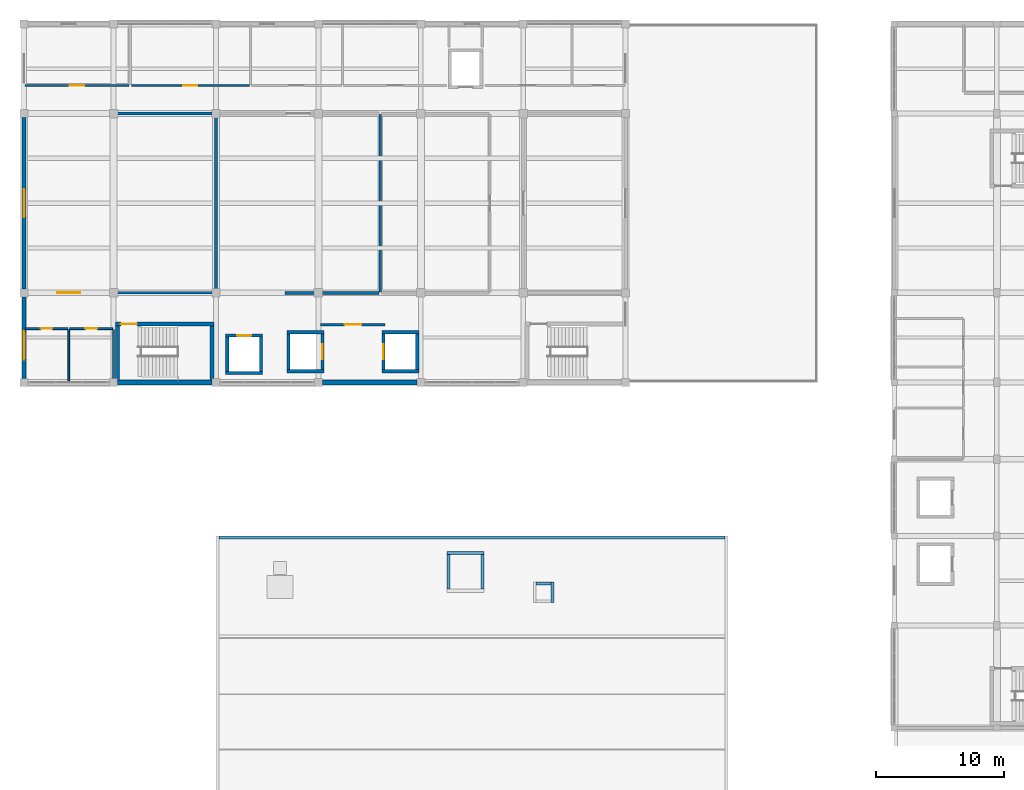
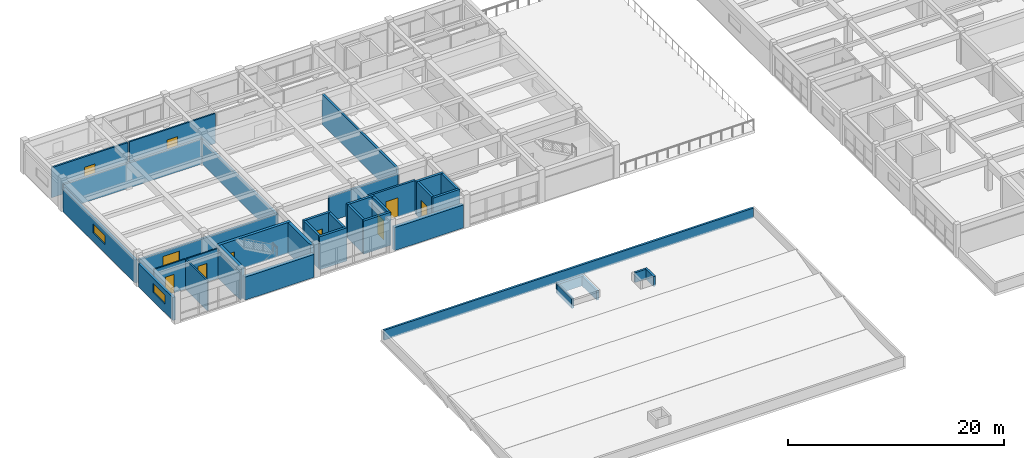
# One storey, part 11 of 22: 37 walls, 10 doors, 2 windows, 12 openings.
"""IFC4 building model written with IfcOpenShell, lengths in metres."""

from ifc_helpers import new_model, si_unit, direction, frame, frame_2d, origin, place, context, subcontext, project, spatial, rectangle, extrude, material, layer, layer_set, type_object, element, fill, save


model = new_model("IFC4")

# Units and contexts
model_context = context("Model", 3, precision=1e-05, world=origin(), true_north=direction((0.0, 1.0)))
body_context = subcontext(model_context, "Body", "Model", "MODEL_VIEW")
ifc_project = project(units=[si_unit("LENGTHUNIT", "METRE"), si_unit("AREAUNIT", "SQUARE_METRE"), si_unit("VOLUMEUNIT", "CUBIC_METRE"), si_unit("PLANEANGLEUNIT", "RADIAN"), si_unit("MASSUNIT", "GRAM", prefix="KILO")], contexts=[model_context])

# Site, building, storey
site_placement = place(None, origin())
site = spatial("IfcSite", under=ifc_project, at=site_placement, CompositionType="ELEMENT")
building_placement = place(site_placement, origin())
building = spatial("IfcBuilding", under=site, at=building_placement, Name="Naurynzar Civic Courthouse", CompositionType="ELEMENT")
storey_placement = place(building_placement, frame((0.0, 0.0, 25.800048828125)))
storey = spatial("IfcBuildingStorey", under=building, at=storey_placement, Name="L07", CompositionType="ELEMENT", Elevation=25.800048828125)

# Wall, opening, door
ifc_material_1 = material(Name="Acoustic Double-Stud Gypsum Partition")
ifc_layer_1 = layer(ifc_material_1, 0.22509765625)
ifc_layer_set_1 = layer_set([ifc_layer_1], Name="WL-ACOUSTIC-225")
wall_type_1 = type_object("IfcWallType", Name="WL-ACOUSTIC-225", PredefinedType="PARTITIONING", material=ifc_layer_set_1)
wall_1_placement = place(storey_placement, frame((62.080078125, 51.0, 0.0), z_axis=(0.0, 0.0, 1.0), x_axis=(1.0, 0.0, 0.0)))
wall_1 = element("IfcWall", 1, at=wall_1_placement, inside=storey, type_object=wall_type_1, Name="V2 interior partition L07.726", PredefinedType="PARTITIONING", context=body_context, shape_type="SweptSolid", body=[
    extrude(rectangle(XDim=14.829833984375, YDim=0.22509765625, at=frame_2d((7.4150390625, 0.0))), origin(), (0.0, 0.0, 1.0), 2.820068359375),
])
opening_1_placement = place(wall_1_placement, frame((2.513916015625, 0.0, 0.0)))
opening_1 = element("IfcOpeningElement", 2, at=opening_1_placement, cuts=wall_1, Name="Opening D-177", PredefinedType="OPENING", context=body_context, shape_type="SweptSolid", body=[
    extrude(rectangle(XDim=1.800048828125, YDim=2.300048828125, at=frame_2d((0.89990234375, 1.14990234375))), frame((0.0, 0.12255859375, 0.0), z_axis=(0.0, -1.0, 0.0), x_axis=(1.0, 0.0, 0.0)), (0.0, 0.0, 1.0), 0.2451171875),
])
ifc_material_2 = material(Name="Acoustic Oak Timber Grade A", Category="wood")
door_type_1 = type_object("IfcDoorType", Name="DR-COURT-DBL-1800x2300", OperationType="DOUBLE_DOOR_SINGLE_SWING", PredefinedType="DOOR", material=ifc_material_2)
door_1_placement = place(opening_1_placement, origin())
door_1 = element("IfcDoor", 3, at=door_1_placement, inside=storey, type_object=door_type_1, Name="Interior door D-177 (Economic Courtroom 7A)", OperationType="DOUBLE_DOOR_SINGLE_SWING", OverallHeight=2.300048828125, OverallWidth=1.800048828125, PredefinedType="DOOR", context=body_context, shape_type="SweptSolid", body=[
    extrude(rectangle(XDim=1.800048828125, YDim=2.300048828125, at=frame_2d((0.89990234375, 1.14990234375))), frame((0.0, 0.02490234375, 0.0), z_axis=(0.0, -1.0, 0.0), x_axis=(1.0, 0.0, 0.0)), (0.0, 0.0, 1.0), 0.050048828125),
])
fill(opening_1, door_1)

# Walls
wall_2_placement = place(storey_placement, frame((62.080078125, 65.0, 0.0), z_axis=(0.0, 0.0, 1.0), x_axis=(1.0, 0.0, 0.0)))
element("IfcWall", 4, at=wall_2_placement, inside=storey, type_object=wall_type_1, Name="V2 interior partition L07.732", PredefinedType="PARTITIONING", context=body_context, shape_type="SweptSolid", body=[
    extrude(rectangle(XDim=14.829833984375, YDim=0.22509765625, at=frame_2d((7.4150390625, 0.0))), origin(), (0.0, 0.0, 1.0), 2.820068359375),
])
ifc_material_3 = material(Name="Acoustic Double-Stud Gypsum Partition")
ifc_layer_2 = layer(ifc_material_3, 0.22998046875)
ifc_layer_set_2 = layer_set([ifc_layer_2], Name="WL-ACOUSTIC-230")
wall_type_2 = type_object("IfcWallType", Name="WL-ACOUSTIC-230", PredefinedType="PARTITIONING", material=ifc_layer_set_2)
wall_3_placement = place(storey_placement, frame((82.39990234375, 51.0, 0.0), z_axis=(0.0, 0.0, 1.0), x_axis=(1.0, 0.0, 0.0)))
element("IfcWall", 5, at=wall_3_placement, inside=storey, type_object=wall_type_2, Name="V2 interior partition L07.727", PredefinedType="PARTITIONING", context=body_context, shape_type="SweptSolid", body=[
    extrude(rectangle(XDim=7.35009765625, YDim=0.22998046875, at=frame_2d((3.675048828125, 0.0))), origin(), (0.0, 0.0, 1.0), 2.820068359375),
])
wall_4_placement = place(storey_placement, frame((76.989990234375, 51.080078125, 0.0), z_axis=(0.0, 0.0, 1.0), x_axis=(0.0, 1.0, 0.0)))
element("IfcWall", 6, at=wall_4_placement, inside=storey, type_object=wall_type_2, Name="V2 interior partition L07.747", PredefinedType="PARTITIONING", context=body_context, shape_type="SweptSolid", body=[
    extrude(rectangle(XDim=13.83984375, YDim=0.22998046875, at=frame_2d((6.919921875, 0.0))), origin(), (0.0, 0.0, 1.0), 2.619873046875),
])
wall_5_placement = place(storey_placement, frame((89.830078125, 51.080078125, 0.0), z_axis=(0.0, 0.0, 1.0), x_axis=(0.0, 1.0, 0.0)))
element("IfcWall", 7, at=wall_5_placement, inside=storey, type_object=wall_type_2, Name="V2 interior partition L07.750", PredefinedType="PARTITIONING", context=body_context, shape_type="SweptSolid", body=[
    extrude(rectangle(XDim=13.83984375, YDim=0.22998046875, at=frame_2d((6.919921875, 0.0))), origin(), (0.0, 0.0, 1.0), 3.389892578125),
])

# Wall, opening, door
ifc_material_4 = material(Name="Concrete C40/50", Category="concrete")
ifc_layer_3 = layer(ifc_material_4, 0.300048828125)
ifc_layer_set_3 = layer_set([ifc_layer_3], Name="WL-CORE-300")
wall_type_3 = type_object("IfcWallType", Name="WL-CORE-300", PredefinedType="SHEAR", material=ifc_layer_set_3)
wall_6_placement = place(storey_placement, frame((76.85009765625, 48.550048828125, 0.0), z_axis=(0.0, 0.0, 1.0), x_axis=(-1.0, 0.0, 0.0)))
wall_6 = element("IfcWall", 8, at=wall_6_placement, inside=storey, type_object=wall_type_3, Name="Stair ST-V2A enclosure wall north L07", PredefinedType="SHEAR", context=body_context, shape_type="SweptSolid", body=[
    extrude(rectangle(XDim=7.7001953125, YDim=0.300048828125, at=frame_2d((3.85009765625, 0.0))), origin(), (0.0, 0.0, 1.0), 3.469970703125),
])
opening_2_placement = place(wall_6_placement, frame((6.02490234375, 0.0, 0.0)))
opening_2 = element("IfcOpeningElement", 9, at=opening_2_placement, cuts=wall_6, Name="Opening SD-030", PredefinedType="OPENING", context=body_context, shape_type="SweptSolid", body=[
    extrude(rectangle(XDim=1.25, YDim=2.14990234375, at=frame_2d((0.625, 1.074951171875))), frame((0.0, 0.159912109375, 0.0), z_axis=(0.0, -1.0, 0.0), x_axis=(1.0, 0.0, 0.0)), (0.0, 0.0, 1.0), 0.320068359375),
])
ifc_material_5 = material(Name="Powder-Coated Galvanised Steel", Category="steel")
door_type_2 = type_object("IfcDoorType", Name="DR-STAIR-1250x2150", OperationType="NOTDEFINED", PredefinedType="DOOR", material=ifc_material_5)
door_2_placement = place(opening_2_placement, origin())
door_2 = element("IfcDoor", 10, at=door_2_placement, inside=storey, type_object=door_type_2, Name="Stair ST-V2A fire door L07", OperationType="SINGLE_SWING_RIGHT", OverallHeight=2.14990234375, OverallWidth=1.25, PredefinedType="DOOR", context=body_context, shape_type="SweptSolid", body=[
    extrude(rectangle(XDim=1.25, YDim=2.14990234375, at=frame_2d((0.625, 1.074951171875))), frame((0.0, 0.02490234375, 0.0), z_axis=(0.0, -1.0, 0.0), x_axis=(1.0, 0.0, 0.0)), (0.0, 0.0, 1.0), 0.050048828125),
])
fill(opening_2, door_2)

# Walls
for number, where, z_axis, x_axis, name in (
    (11, (69.300048828125, 48.39501953125, 0.0), (0.0, 0.0, 1.0), (0.0, -1.0, 0.0), "Stair ST-V2A enclosure wall west L07"),
    (12, (76.699951171875, 44.195068359375, 0.0), (0.0, 0.0, 1.0), (0.0, 1.0, 0.0), "Stair ST-V2A enclosure wall east L07"),
):
    element("IfcWall", number, at=place(storey_placement, frame(where, z_axis=z_axis, x_axis=x_axis)), inside=storey, type_object=wall_type_3, Name=name, PredefinedType="SHEAR", context=body_context, shape_type="SweptSolid", body=[
        extrude(rectangle(XDim=4.199951171875, YDim=0.300048828125, at=frame_2d((2.10009765625, 0.0))), origin(), (0.0, 0.0, 1.0), 3.469970703125),
    ])

# Wall, opening, window
ifc_material_6 = material(Name="Precast concrete C40/50", Category="concrete")
ifc_layer_4 = layer(ifc_material_6, 0.280029296875)
ifc_layer_set_4 = layer_set([ifc_layer_4], Name="WL-EXT-280")
wall_type_4 = type_object("IfcWallType", Name="WL-EXT-280", PredefinedType="SOLIDWALL", material=ifc_layer_set_4)
wall_7_placement = place(storey_placement, frame((62.0, 44.3125, 0.0), z_axis=(0.0, 0.0, 1.0), x_axis=(0.0, 1.0, 0.0)))
wall_7 = element("IfcWall", 13, at=wall_7_placement, inside=storey, type_object=wall_type_4, Name="V2 exterior wall west L07.1.1", PredefinedType="SOLIDWALL", context=body_context, shape_type="SweptSolid", body=[
    extrude(rectangle(XDim=6.375, YDim=0.280029296875, at=frame_2d((3.1875, 0.0))), origin(), (0.0, 0.0, 1.0), 2.599853515625),
])
opening_3_placement = place(wall_7_placement, frame((1.468017578125, 0.0, 1.0)))
opening_3 = element("IfcOpeningElement", 14, at=opening_3_placement, cuts=wall_7, Name="Opening WN-18", PredefinedType="OPENING", context=body_context, shape_type="SweptSolid", body=[
    extrude(rectangle(XDim=2.199951171875, YDim=1.0, at=frame_2d((1.10009765625, 0.5))), frame((0.0, 0.14990234375, 0.0), z_axis=(0.0, -1.0, 0.0), x_axis=(1.0, 0.0, 0.0)), (0.0, 0.0, 1.0), 0.300048828125),
])
ifc_material_7 = material(Name="Tempered Laminated Low-E Glass", Category="glass")
window_type = type_object("IfcWindowType", Name="WIN-CLER-2200x1000", PartitioningType="DOUBLE_PANEL_VERTICAL", PredefinedType="WINDOW", material=ifc_material_7)
window_1_placement = place(opening_3_placement, origin())
window_1 = element("IfcWindow", 15, at=window_1_placement, inside=storey, type_object=window_type, Name="V2 window 106 L07", OverallHeight=1.0, OverallWidth=2.199951171875, PartitioningType="SINGLE_PANEL", PredefinedType="WINDOW", context=body_context, shape_type="SweptSolid", body=[
    extrude(rectangle(XDim=2.199951171875, YDim=1.0, at=frame_2d((1.10009765625, 0.5))), frame((0.0, 0.030029296875, 0.0), z_axis=(0.0, -1.0, 0.0), x_axis=(1.0, 0.0, 0.0)), (0.0, 0.0, 1.0), 0.06005859375),
])
fill(opening_3, window_1)

wall_8_placement = place(storey_placement, frame((62.0, 51.3125, 0.0), z_axis=(0.0, 0.0, 1.0), x_axis=(0.0, 1.0, 0.0)))
wall_8 = element("IfcWall", 16, at=wall_8_placement, inside=storey, type_object=wall_type_4, Name="V2 exterior wall west L07.2.1", PredefinedType="SOLIDWALL", context=body_context, shape_type="SweptSolid", body=[
    extrude(rectangle(XDim=13.375, YDim=0.280029296875, at=frame_2d((6.6875, 0.0))), origin(), (0.0, 0.0, 1.0), 2.599853515625),
])
opening_4_placement = place(wall_8_placement, frame((5.58740234375, 0.0, 1.0)))
opening_4 = element("IfcOpeningElement", 17, at=opening_4_placement, cuts=wall_8, Name="Opening WN-18", PredefinedType="OPENING", context=body_context, shape_type="SweptSolid", body=[
    extrude(rectangle(XDim=2.199951171875, YDim=1.0, at=frame_2d((1.10009765625, 0.5))), frame((0.0, 0.14990234375, 0.0), z_axis=(0.0, -1.0, 0.0), x_axis=(1.0, 0.0, 0.0)), (0.0, 0.0, 1.0), 0.300048828125),
])
window_2_placement = place(opening_4_placement, origin())
window_2 = element("IfcWindow", 18, at=window_2_placement, inside=storey, type_object=window_type, Name="V2 window 107 L07", OverallHeight=1.0, OverallWidth=2.199951171875, PartitioningType="SINGLE_PANEL", PredefinedType="WINDOW", context=body_context, shape_type="SweptSolid", body=[
    extrude(rectangle(XDim=2.199951171875, YDim=1.0, at=frame_2d((1.10009765625, 0.5))), frame((0.0, 0.030029296875, 0.0), z_axis=(0.0, -1.0, 0.0), x_axis=(1.0, 0.0, 0.0)), (0.0, 0.0, 1.0), 0.06005859375),
])
fill(opening_4, window_2)

# Wall, opening, door
ifc_material_8 = material(Name="Concrete C35/45", Category="concrete")
ifc_layer_5 = layer(ifc_material_8, 0.219970703125)
ifc_layer_set_5 = layer_set([ifc_layer_5], Name="WL-FFL-220")
wall_type_5 = type_object("IfcWallType", Name="WL-FFL-220", PredefinedType="SOLIDWALL", material=ifc_layer_set_5)
wall_9_placement = place(storey_placement, frame((85.179931640625, 48.510009765625, 0.0), z_axis=(0.0, 0.0, 1.0), x_axis=(1.0, 0.0, 0.0)))
wall_9 = element("IfcWall", 19, at=wall_9_placement, inside=storey, type_object=wall_type_5, Name="Firefighting lift lobby EI 120 wall CORE-V2 L07 north", PredefinedType="SOLIDWALL", context=body_context, shape_type="SweptSolid", body=[
    extrude(rectangle(XDim=5.0400390625, YDim=0.219970703125, at=frame_2d((2.52001953125, 0.0))), origin(), (0.0, 0.0, 1.0), 3.469970703125),
])
opening_5_placement = place(wall_9_placement, frame((1.8701171875, 0.0, 0.0)))
opening_5 = element("IfcOpeningElement", 20, at=opening_5_placement, cuts=wall_9, Name="Opening FD-08", PredefinedType="OPENING", context=body_context, shape_type="SweptSolid", body=[
    extrude(rectangle(XDim=1.300048828125, YDim=2.14990234375, at=frame_2d((0.64990234375, 1.074951171875))), frame((0.0, 0.119873046875, 0.0), z_axis=(0.0, -1.0, 0.0), x_axis=(1.0, 0.0, 0.0)), (0.0, 0.0, 1.0), 0.239990234375),
])
ifc_material_9 = material(Name="Powder-Coated Galvanised Steel", Category="steel")
door_type_3 = type_object("IfcDoorType", Name="DR-FFL-1300x2150", OperationType="NOTDEFINED", PredefinedType="DOOR", material=ifc_material_9)
door_3_placement = place(opening_5_placement, origin())
door_3 = element("IfcDoor", 21, at=door_3_placement, inside=storey, type_object=door_type_3, Name="Firefighting lift lobby door FD-08", OperationType="SINGLE_SWING_RIGHT", OverallHeight=2.14990234375, OverallWidth=1.300048828125, PredefinedType="DOOR", context=body_context, shape_type="SweptSolid", body=[
    extrude(rectangle(XDim=1.300048828125, YDim=2.14990234375, at=frame_2d((0.64990234375, 1.074951171875))), frame((0.0, 0.02490234375, 0.0), z_axis=(0.0, -1.0, 0.0), x_axis=(1.0, 0.0, 0.0)), (0.0, 0.0, 1.0), 0.050048828125),
])
fill(opening_5, door_3)

# Walls
ifc_material_10 = material(Name="Precast concrete C40/50", Category="concrete")
ifc_layer_6 = layer(ifc_material_10, 0.219970703125)
ifc_layer_set_6 = layer_set([ifc_layer_6], Name="WL-PARA-220")
wall_type_6 = type_object("IfcWallType", Name="WL-PARA-220", PredefinedType="PARAPET", material=ifc_layer_set_6)
wall_10_placement = place(storey_placement, frame((77.22998046875, 31.8798828125, 0.0), z_axis=(0.0, 0.0, 1.0), x_axis=(1.0, 0.0, 0.0)))
element("IfcWall", 22, at=wall_10_placement, inside=storey, type_object=wall_type_6, Name="Roof perimeter parapet V3-RF.28", PredefinedType="PARAPET", context=body_context, shape_type="SweptSolid", body=[
    extrude(rectangle(XDim=39.5400390625, YDim=0.219970703125, at=frame_2d((19.77001953125, 0.0))), origin(), (0.0, 0.0, 1.0), 1.119873046875),
])
wall_11_placement = place(storey_placement, frame((103.300048828125, 28.409912109375, 0.0), z_axis=(0.0, 0.0, 1.0), x_axis=(0.0, -1.0, 0.0)))
element("IfcWall", 23, at=wall_11_placement, inside=storey, type_object=wall_type_6, Name="Roof perimeter parapet V3N-RS.43", PredefinedType="PARAPET", context=body_context, shape_type="SweptSolid", body=[
    extrude(rectangle(XDim=1.619873046875, YDim=0.219970703125, at=frame_2d((0.81005859375, 0.0))), origin(), (0.0, 0.0, 1.0), 1.119873046875),
])
wall_12_placement = place(storey_placement, frame((102.010009765625, 28.300048828125, 0.0), z_axis=(0.0, 0.0, 1.0), x_axis=(1.0, 0.0, 0.0)))
element("IfcWall", 24, at=wall_12_placement, inside=storey, type_object=wall_type_6, Name="Roof perimeter parapet V3N-RS.44", PredefinedType="PARAPET", context=body_context, shape_type="SweptSolid", body=[
    extrude(rectangle(XDim=1.179931640625, YDim=0.219970703125, at=frame_2d((0.58984375, 0.0))), origin(), (0.0, 0.0, 1.0), 1.119873046875),
])

# Wall, opening, door
ifc_material_11 = material(Name="Insulated Metal-Stud Gypsum Partition")
ifc_layer_7 = layer(ifc_material_11, 0.159912109375)
ifc_layer_set_7 = layer_set([ifc_layer_7], Name="WL-PART-CHAMB-160")
wall_type_7 = type_object("IfcWallType", Name="WL-PART-CHAMB-160", PredefinedType="PARTITIONING", material=ifc_layer_set_7)
wall_13_placement = place(storey_placement, frame((70.3798828125, 67.199951171875, 0.0), z_axis=(0.0, 0.0, 1.0), x_axis=(1.0, 0.0, 0.0)))
wall_13 = element("IfcWall", 25, at=wall_13_placement, inside=storey, type_object=wall_type_7, Name="V2 interior partition L07.739", PredefinedType="PARTITIONING", context=body_context, shape_type="SweptSolid", body=[
    extrude(rectangle(XDim=9.22021484375, YDim=0.159912109375, at=frame_2d((4.610107421875, 0.0))), origin(), (0.0, 0.0, 1.0), 3.389892578125),
])
opening_6_placement = place(wall_13_placement, frame((4.050048828125, 0.0, 0.0)))
opening_6 = element("IfcOpeningElement", 26, at=opening_6_placement, cuts=wall_13, Name="Opening D-182", PredefinedType="OPENING", context=body_context, shape_type="SweptSolid", body=[
    extrude(rectangle(XDim=1.1201171875, YDim=2.199951171875, at=frame_2d((0.56005859375, 1.10009765625))), frame((0.0, 0.08984375, 0.0), z_axis=(0.0, -1.0, 0.0), x_axis=(1.0, 0.0, 0.0)), (0.0, 0.0, 1.0), 0.179931640625),
])
ifc_material_12 = material(Name="Acoustic Oak Timber Grade A", Category="wood")
door_type_4 = type_object("IfcDoorType", Name="DR-SUITE-1120x2200", OperationType="NOTDEFINED", PredefinedType="DOOR", material=ifc_material_12)
door_4_placement = place(opening_6_placement, origin())
door_4 = element("IfcDoor", 27, at=door_4_placement, inside=storey, type_object=door_type_4, Name="Interior door D-182 (Judges' Chambers L07-2)", OperationType="SINGLE_SWING_RIGHT", OverallHeight=2.199951171875, OverallWidth=1.1201171875, PredefinedType="DOOR", context=body_context, shape_type="SweptSolid", body=[
    extrude(rectangle(XDim=1.1201171875, YDim=2.199951171875, at=frame_2d((0.56005859375, 1.10009765625))), frame((0.0, 0.02490234375, 0.0), z_axis=(0.0, -1.0, 0.0), x_axis=(1.0, 0.0, 0.0)), (0.0, 0.0, 1.0), 0.050048828125),
])
fill(opening_6, door_4)

ifc_material_13 = material(Name="Acoustic Double-Stud Gypsum Partition")
ifc_layer_8 = layer(ifc_material_13, 0.179931640625)
ifc_layer_set_8 = layer_set([ifc_layer_8], Name="WL-PART-JURY-180")
wall_type_8 = type_object("IfcWallType", Name="WL-PART-JURY-180", PredefinedType="PARTITIONING", material=ifc_layer_set_8)
wall_14_placement = place(storey_placement, frame((62.080078125, 67.199951171875, 0.0), z_axis=(0.0, 0.0, 1.0), x_axis=(1.0, 0.0, 0.0)))
wall_14 = element("IfcWall", 28, at=wall_14_placement, inside=storey, type_object=wall_type_8, Name="V2 interior partition L07.738", PredefinedType="PARTITIONING", context=body_context, shape_type="SweptSolid", body=[
    extrude(rectangle(XDim=8.139892578125, YDim=0.179931640625, at=frame_2d((4.06982421875, 0.0))), origin(), (0.0, 0.0, 1.0), 3.389892578125),
])
opening_7_placement = place(wall_14_placement, frame((3.4951171875, 0.0, 0.0)))
opening_7 = element("IfcOpeningElement", 29, at=opening_7_placement, cuts=wall_14, Name="Opening D-181", PredefinedType="OPENING", context=body_context, shape_type="SweptSolid", body=[
    extrude(rectangle(XDim=1.14990234375, YDim=2.199951171875, at=frame_2d((0.574951171875, 1.10009765625))), frame((0.0, 0.099853515625, 0.0), z_axis=(0.0, -1.0, 0.0), x_axis=(1.0, 0.0, 0.0)), (0.0, 0.0, 1.0), 0.199951171875),
])
ifc_material_14 = material(Name="Acoustic Oak Timber Grade A", Category="wood")
door_type_5 = type_object("IfcDoorType", Name="DR-JURY-1150x2200", OperationType="NOTDEFINED", PredefinedType="DOOR", material=ifc_material_14)
door_5_placement = place(opening_7_placement, origin())
door_5 = element("IfcDoor", 30, at=door_5_placement, inside=storey, type_object=door_type_5, Name="Interior door D-181 (Jury Room L07-N)", OperationType="SINGLE_SWING_LEFT", OverallHeight=2.199951171875, OverallWidth=1.14990234375, PredefinedType="DOOR", context=body_context, shape_type="SweptSolid", body=[
    extrude(rectangle(XDim=1.14990234375, YDim=2.199951171875, at=frame_2d((0.574951171875, 1.10009765625))), frame((0.0, 0.02490234375, 0.0), z_axis=(0.0, -1.0, 0.0), x_axis=(1.0, 0.0, 0.0)), (0.0, 0.0, 1.0), 0.050048828125),
])
fill(opening_7, door_5)

ifc_material_15 = material(Name="Moisture-Resistant Plumbing Partition")
ifc_layer_9 = layer(ifc_material_15, 0.139892578125)
ifc_layer_set_9 = layer_set([ifc_layer_9], Name="WL-PART-WC-140")
wall_type_9 = type_object("IfcWallType", Name="WL-PART-WC-140", PredefinedType="PLUMBINGWALL", material=ifc_layer_set_9)
wall_15_placement = place(storey_placement, frame((62.080078125, 48.199951171875, 0.0), z_axis=(0.0, 0.0, 1.0), x_axis=(1.0, 0.0, 0.0)))
wall_15 = element("IfcWall", 31, at=wall_15_placement, inside=storey, type_object=wall_type_9, Name="V2 interior partition L07.723", PredefinedType="PLUMBINGWALL", context=body_context, shape_type="SweptSolid", body=[
    extrude(rectangle(XDim=3.33984375, YDim=0.139892578125, at=frame_2d((1.669921875, 0.0))), origin(), (0.0, 0.0, 1.0), 3.389892578125),
])
opening_8_placement = place(wall_15_placement, frame((1.2099609375, 0.0, 0.0)))
opening_8 = element("IfcOpeningElement", 32, at=opening_8_placement, cuts=wall_15, Name="Opening D-175", PredefinedType="OPENING", context=body_context, shape_type="SweptSolid", body=[
    extrude(rectangle(XDim=0.919921875, YDim=2.10009765625, at=frame_2d((0.4599609375, 1.050048828125))), frame((0.0, 0.079833984375, 0.0), z_axis=(0.0, -1.0, 0.0), x_axis=(1.0, 0.0, 0.0)), (0.0, 0.0, 1.0), 0.159912109375),
])
ifc_material_16 = material(Name="Acoustic Oak Timber Grade A", Category="wood")
door_type_6 = type_object("IfcDoorType", Name="DR-WC-STD-920x2100", OperationType="NOTDEFINED", PredefinedType="DOOR", material=ifc_material_16)
door_6_placement = place(opening_8_placement, origin())
door_6 = element("IfcDoor", 33, at=door_6_placement, inside=storey, type_object=door_type_6, Name="Interior door D-175 (Public WC V2)", OperationType="SINGLE_SWING_LEFT", OverallHeight=2.10009765625, OverallWidth=0.919921875, PredefinedType="DOOR", context=body_context, shape_type="SweptSolid", body=[
    extrude(rectangle(XDim=0.919921875, YDim=2.10009765625, at=frame_2d((0.4599609375, 1.050048828125))), frame((0.0, 0.02490234375, 0.0), z_axis=(0.0, -1.0, 0.0), x_axis=(1.0, 0.0, 0.0)), (0.0, 0.0, 1.0), 0.050048828125),
])
fill(opening_8, door_6)

wall_16_placement = place(storey_placement, frame((65.580078125, 48.199951171875, 0.0), z_axis=(0.0, 0.0, 1.0), x_axis=(1.0, 0.0, 0.0)))
wall_16 = element("IfcWall", 34, at=wall_16_placement, inside=storey, type_object=wall_type_9, Name="V2 interior partition L07.724", PredefinedType="PLUMBINGWALL", context=body_context, shape_type="SweptSolid", body=[
    extrude(rectangle(XDim=3.33984375, YDim=0.139892578125, at=frame_2d((1.669921875, 0.0))), origin(), (0.0, 0.0, 1.0), 3.389892578125),
])
opening_9_placement = place(wall_16_placement, frame((1.18994140625, 0.0, 0.0)))
opening_9 = element("IfcOpeningElement", 35, at=opening_9_placement, cuts=wall_16, Name="Opening D-176", PredefinedType="OPENING", context=body_context, shape_type="SweptSolid", body=[
    extrude(rectangle(XDim=0.9599609375, YDim=2.10009765625, at=frame_2d((0.47998046875, 1.050048828125))), frame((0.0, 0.079833984375, 0.0), z_axis=(0.0, -1.0, 0.0), x_axis=(1.0, 0.0, 0.0)), (0.0, 0.0, 1.0), 0.159912109375),
])
ifc_material_17 = material(Name="Acoustic Oak Timber Grade A", Category="wood")
door_type_7 = type_object("IfcDoorType", Name="DR-WC-ACC-960x2100", OperationType="NOTDEFINED", PredefinedType="DOOR", material=ifc_material_17)
door_7_placement = place(opening_9_placement, origin())
door_7 = element("IfcDoor", 36, at=door_7_placement, inside=storey, type_object=door_type_7, Name="Interior door D-176 (Accessible WC V2)", OperationType="SINGLE_SWING_RIGHT", OverallHeight=2.10009765625, OverallWidth=0.9599609375, PredefinedType="DOOR", context=body_context, shape_type="SweptSolid", body=[
    extrude(rectangle(XDim=0.9599609375, YDim=2.10009765625, at=frame_2d((0.47998046875, 1.050048828125))), frame((0.0, 0.02490234375, 0.0), z_axis=(0.0, -1.0, 0.0), x_axis=(1.0, 0.0, 0.0)), (0.0, 0.0, 1.0), 0.050048828125),
])
fill(opening_9, door_7)

# Walls
wall_17_placement = place(storey_placement, frame((65.5, 44.080078125, 0.0), z_axis=(0.0, 0.0, 1.0), x_axis=(0.0, 1.0, 0.0)))
element("IfcWall", 37, at=wall_17_placement, inside=storey, type_object=wall_type_9, Name="V2 interior partition L07.744", PredefinedType="PLUMBINGWALL", context=body_context, shape_type="SweptSolid", body=[
    extrude(rectangle(XDim=4.0400390625, YDim=0.139892578125, at=frame_2d((2.02001953125, 0.0))), origin(), (0.0, 0.0, 1.0), 3.389892578125),
])
wall_18_placement = place(storey_placement, frame((69.0, 44.080078125, 0.0), z_axis=(0.0, 0.0, 1.0), x_axis=(0.0, 1.0, 0.0)))
element("IfcWall", 38, at=wall_18_placement, inside=storey, type_object=wall_type_9, Name="V2 interior partition L07.745", PredefinedType="PLUMBINGWALL", context=body_context, shape_type="SweptSolid", body=[
    extrude(rectangle(XDim=4.0400390625, YDim=0.139892578125, at=frame_2d((2.02001953125, 0.0))), origin(), (0.0, 0.0, 1.0), 2.919921875),
])
ifc_material_18 = material(Name="Concrete C40/50", Category="concrete")
ifc_layer_10 = layer(ifc_material_18, 0.3798828125)
ifc_layer_set_10 = layer_set([ifc_layer_10], Name="WL-RET-380")
wall_type_10 = type_object("IfcWallType", Name="WL-RET-380", PredefinedType="STANDARD", material=ifc_layer_set_10)
for number, where, z_axis, x_axis, name in (
    (39, (92.6875, 44.0, 0.0), (0.0, 0.0, 1.0), (-1.0, 0.0, 0.0), "V2 exterior wall south L07.3.1"),
    (40, (76.6875, 44.0, 0.0), (0.0, 0.0, 1.0), (-1.0, 0.0, 0.0), "V2 exterior wall south L07.5.1"),
):
    element("IfcWall", number, at=place(storey_placement, frame(where, z_axis=z_axis, x_axis=x_axis)), inside=storey, type_object=wall_type_10, Name=name, PredefinedType="STANDARD", context=body_context, shape_type="SweptSolid", body=[
        extrude(rectangle(XDim=7.375, YDim=0.3798828125, at=frame_2d((3.6875, 0.0))), origin(), (0.0, 0.0, 1.0), 2.599853515625),
    ])
ifc_material_19 = material(Name="Concrete C40/50", Category="concrete")
ifc_layer_11 = layer(ifc_material_19, 0.25)
ifc_layer_set_11 = layer_set([ifc_layer_11], Name="WL-SHAFT-250")
wall_type_11 = type_object("IfcWallType", Name="WL-SHAFT-250", PredefinedType="SHEAR", material=ifc_layer_set_11)
wall_19_placement = place(storey_placement, frame((77.75, 44.72509765625, 0.0), z_axis=(0.0, 0.0, 1.0), x_axis=(1.0, 0.0, 0.0)))
element("IfcWall", 41, at=wall_19_placement, inside=storey, type_object=wall_type_11, Name="Lift LP-03 shaft wall south L07", PredefinedType="SHEAR", context=body_context, shape_type="SweptSolid", body=[
    extrude(rectangle(XDim=2.89990234375, YDim=0.25, at=frame_2d((1.449951171875, 0.0))), origin(), (0.0, 0.0, 1.0), 3.75),
])

# Wall, opening, door
wall_20_placement = place(storey_placement, frame((80.64990234375, 47.675048828125, 0.0), z_axis=(0.0, 0.0, 1.0), x_axis=(-1.0, 0.0, 0.0)))
wall_20 = element("IfcWall", 42, at=wall_20_placement, inside=storey, type_object=wall_type_11, Name="Lift LP-03 shaft wall north L07", PredefinedType="SHEAR", context=body_context, shape_type="SweptSolid", body=[
    extrude(rectangle(XDim=2.89990234375, YDim=0.25, at=frame_2d((1.449951171875, 0.0))), origin(), (0.0, 0.0, 1.0), 3.75),
])
opening_10_placement = place(wall_20_placement, frame((0.89990234375, 0.0, 0.0)))
opening_10 = element("IfcOpeningElement", 43, at=opening_10_placement, cuts=wall_20, Name="Opening LD-024", PredefinedType="OPENING", context=body_context, shape_type="SweptSolid", body=[
    extrude(rectangle(XDim=1.10009765625, YDim=2.14990234375, at=frame_2d((0.550048828125, 1.074951171875))), frame((0.0, 0.135009765625, 0.0), z_axis=(0.0, -1.0, 0.0), x_axis=(1.0, 0.0, 0.0)), (0.0, 0.0, 1.0), 0.27001953125),
])
ifc_material_20 = material(Name="Brushed Stainless Steel 304", Category="steel")
door_type_8 = type_object("IfcDoorType", Name="DR-LIFT-SLIDE-1100x2150", OperationType="DOUBLE_DOOR_SLIDING", PredefinedType="DOOR", material=ifc_material_20)
door_8_placement = place(opening_10_placement, origin())
door_8 = element("IfcDoor", 44, at=door_8_placement, inside=storey, type_object=door_type_8, Name="Lift LP-03 sliding landing door L07", OperationType="DOUBLE_DOOR_SLIDING", OverallHeight=2.14990234375, OverallWidth=1.10009765625, PredefinedType="DOOR", context=body_context, shape_type="SweptSolid", body=[
    extrude(rectangle(XDim=1.10009765625, YDim=2.14990234375, at=frame_2d((0.550048828125, 1.074951171875))), frame((0.0, 0.02490234375, 0.0), z_axis=(0.0, -1.0, 0.0), x_axis=(1.0, 0.0, 0.0)), (0.0, 0.0, 1.0), 0.050048828125),
])
fill(opening_10, door_8)

# Walls
for number, where, z_axis, x_axis, name in (
    (45, (77.875, 47.544921875, 0.0), (0.0, 0.0, 1.0), (0.0, -1.0, 0.0), "Lift LP-03 shaft wall west L07"),
    (46, (80.52490234375, 44.85498046875, 0.0), (0.0, 0.0, 1.0), (0.0, 1.0, 0.0), "Lift LP-03 shaft wall east L07"),
):
    element("IfcWall", number, at=place(storey_placement, frame(where, z_axis=z_axis, x_axis=x_axis)), inside=storey, type_object=wall_type_11, Name=name, PredefinedType="SHEAR", context=body_context, shape_type="SweptSolid", body=[
        extrude(rectangle(XDim=2.68994140625, YDim=0.25, at=frame_2d((1.344970703125, 0.0))), origin(), (0.0, 0.0, 1.0), 3.75),
    ])
for number, where, z_axis, x_axis, name in (
    (47, (82.550048828125, 44.875, 0.0), (0.0, 0.0, 1.0), (1.0, 0.0, 0.0), "Lift FL-02 shaft wall south L07"),
    (48, (85.449951171875, 47.925048828125, 0.0), (0.0, 0.0, 1.0), (-1.0, 0.0, 0.0), "Lift FL-02 shaft wall north L07"),
):
    element("IfcWall", number, at=place(storey_placement, frame(where, z_axis=z_axis, x_axis=x_axis)), inside=storey, type_object=wall_type_11, Name=name, PredefinedType="SHEAR", context=body_context, shape_type="SweptSolid", body=[
        extrude(rectangle(XDim=2.89990234375, YDim=0.25, at=frame_2d((1.449951171875, 0.0))), origin(), (0.0, 0.0, 1.0), 3.75),
    ])
wall_21_placement = place(storey_placement, frame((82.675048828125, 47.794921875, 0.0), z_axis=(0.0, 0.0, 1.0), x_axis=(0.0, -1.0, 0.0)))
element("IfcWall", 49, at=wall_21_placement, inside=storey, type_object=wall_type_11, Name="Lift FL-02 shaft wall west L07", PredefinedType="SHEAR", context=body_context, shape_type="SweptSolid", body=[
    extrude(rectangle(XDim=2.7900390625, YDim=0.25, at=frame_2d((1.39501953125, 0.0))), origin(), (0.0, 0.0, 1.0), 3.75),
])

# Wall, opening, door
wall_22_placement = place(storey_placement, frame((85.324951171875, 45.0048828125, 0.0), z_axis=(0.0, 0.0, 1.0), x_axis=(0.0, 1.0, 0.0)))
wall_22 = element("IfcWall", 50, at=wall_22_placement, inside=storey, type_object=wall_type_11, Name="Lift FL-02 shaft wall east L07", PredefinedType="SHEAR", context=body_context, shape_type="SweptSolid", body=[
    extrude(rectangle(XDim=2.7900390625, YDim=0.25, at=frame_2d((1.39501953125, 0.0))), origin(), (0.0, 0.0, 1.0), 3.75),
])
opening_11_placement = place(wall_22_placement, frame((0.794921875, 0.0, 0.0)))
opening_11 = element("IfcOpeningElement", 51, at=opening_11_placement, cuts=wall_22, Name="Opening LD-035", PredefinedType="OPENING", context=body_context, shape_type="SweptSolid", body=[
    extrude(rectangle(XDim=1.199951171875, YDim=2.199951171875, at=frame_2d((0.60009765625, 1.10009765625))), frame((0.0, 0.135009765625, 0.0), z_axis=(0.0, -1.0, 0.0), x_axis=(1.0, 0.0, 0.0)), (0.0, 0.0, 1.0), 0.27001953125),
])
ifc_material_21 = material(Name="Brushed Stainless Steel 304", Category="steel")
door_type_9 = type_object("IfcDoorType", Name="DR-LIFT-FF-1200x2200", OperationType="DOUBLE_DOOR_SLIDING", PredefinedType="DOOR", material=ifc_material_21)
door_9_placement = place(opening_11_placement, origin())
door_9 = element("IfcDoor", 52, at=door_9_placement, inside=storey, type_object=door_type_9, Name="Lift FL-02 sliding landing door L07", OperationType="DOUBLE_DOOR_SLIDING", OverallHeight=2.199951171875, OverallWidth=1.199951171875, PredefinedType="DOOR", context=body_context, shape_type="SweptSolid", body=[
    extrude(rectangle(XDim=1.199951171875, YDim=2.199951171875, at=frame_2d((0.60009765625, 1.10009765625))), frame((0.0, 0.02490234375, 0.0), z_axis=(0.0, -1.0, 0.0), x_axis=(1.0, 0.0, 0.0)), (0.0, 0.0, 1.0), 0.050048828125),
])
fill(opening_11, door_9)

# Walls
for number, where, z_axis, x_axis, name in (
    (53, (89.949951171875, 44.875, 0.0), (0.0, 0.0, 1.0), (1.0, 0.0, 0.0), "Lift FL-01 shaft wall south L07"),
    (54, (92.85009765625, 47.925048828125, 0.0), (0.0, 0.0, 1.0), (-1.0, 0.0, 0.0), "Lift FL-01 shaft wall north L07"),
):
    element("IfcWall", number, at=place(storey_placement, frame(where, z_axis=z_axis, x_axis=x_axis)), inside=storey, type_object=wall_type_11, Name=name, PredefinedType="SHEAR", context=body_context, shape_type="SweptSolid", body=[
        extrude(rectangle(XDim=2.900146484375, YDim=0.25, at=frame_2d((1.4501953125, 0.0))), origin(), (0.0, 0.0, 1.0), 3.75),
    ])

# Wall, opening, door
wall_23_placement = place(storey_placement, frame((90.074951171875, 47.794921875, 0.0), z_axis=(0.0, 0.0, 1.0), x_axis=(0.0, -1.0, 0.0)))
wall_23 = element("IfcWall", 55, at=wall_23_placement, inside=storey, type_object=wall_type_11, Name="Lift FL-01 shaft wall west L07", PredefinedType="SHEAR", context=body_context, shape_type="SweptSolid", body=[
    extrude(rectangle(XDim=2.7900390625, YDim=0.25, at=frame_2d((1.39501953125, 0.0))), origin(), (0.0, 0.0, 1.0), 3.75),
])
opening_12_placement = place(wall_23_placement, frame((0.794921875, 0.0, 0.0)))
opening_12 = element("IfcOpeningElement", 56, at=opening_12_placement, cuts=wall_23, Name="Opening LD-046", PredefinedType="OPENING", context=body_context, shape_type="SweptSolid", body=[
    extrude(rectangle(XDim=1.199951171875, YDim=2.199951171875, at=frame_2d((0.60009765625, 1.10009765625))), frame((0.0, 0.135009765625, 0.0), z_axis=(0.0, -1.0, 0.0), x_axis=(1.0, 0.0, 0.0)), (0.0, 0.0, 1.0), 0.27001953125),
])
door_10_placement = place(opening_12_placement, origin())
door_10 = element("IfcDoor", 57, at=door_10_placement, inside=storey, type_object=door_type_9, Name="Lift FL-01 sliding landing door L07", OperationType="DOUBLE_DOOR_SLIDING", OverallHeight=2.199951171875, OverallWidth=1.199951171875, PredefinedType="DOOR", context=body_context, shape_type="SweptSolid", body=[
    extrude(rectangle(XDim=1.199951171875, YDim=2.199951171875, at=frame_2d((0.60009765625, 1.10009765625))), frame((0.0, 0.02490234375, 0.0), z_axis=(0.0, -1.0, 0.0), x_axis=(1.0, 0.0, 0.0)), (0.0, 0.0, 1.0), 0.050048828125),
])
fill(opening_12, door_10)

# Walls
wall_24_placement = place(storey_placement, frame((92.72509765625, 45.0048828125, 0.0), z_axis=(0.0, 0.0, 1.0), x_axis=(0.0, 1.0, 0.0)))
element("IfcWall", 58, at=wall_24_placement, inside=storey, type_object=wall_type_11, Name="Lift FL-01 shaft wall east L07", PredefinedType="SHEAR", context=body_context, shape_type="SweptSolid", body=[
    extrude(rectangle(XDim=2.7900390625, YDim=0.25, at=frame_2d((1.39501953125, 0.0))), origin(), (0.0, 0.0, 1.0), 3.75),
])
wall_25_placement = place(storey_placement, frame((97.949951171875, 30.675048828125, -0.280029296875), z_axis=(0.0, 0.0, 1.0), x_axis=(-1.0, 0.0, 0.0)))
element("IfcWall", 59, at=wall_25_placement, inside=storey, type_object=wall_type_11, Name="Lift LP-04 overrun shaft wall north", PredefinedType="SHEAR", context=body_context, shape_type="SweptSolid", body=[
    extrude(rectangle(XDim=2.89990234375, YDim=0.25, at=frame_2d((1.449951171875, 0.0))), origin(), (0.0, 0.0, 1.0), 1.080078125),
])
for number, where, z_axis, x_axis, name in (
    (60, (95.175048828125, 30.544921875, -0.280029296875), (0.0, 0.0, 1.0), (0.0, -1.0, 0.0), "Lift LP-04 overrun shaft wall west"),
    (61, (97.824951171875, 27.85498046875, -0.280029296875), (0.0, 0.0, 1.0), (0.0, 1.0, 0.0), "Lift LP-04 overrun shaft wall east"),
):
    element("IfcWall", number, at=place(storey_placement, frame(where, z_axis=z_axis, x_axis=x_axis)), inside=storey, type_object=wall_type_11, Name=name, PredefinedType="SHEAR", context=body_context, shape_type="SweptSolid", body=[
        extrude(rectangle(XDim=2.68994140625, YDim=0.25, at=frame_2d((1.344970703125, 0.0))), origin(), (0.0, 0.0, 1.0), 1.080078125),
    ])

save(model, "model.ifc")
